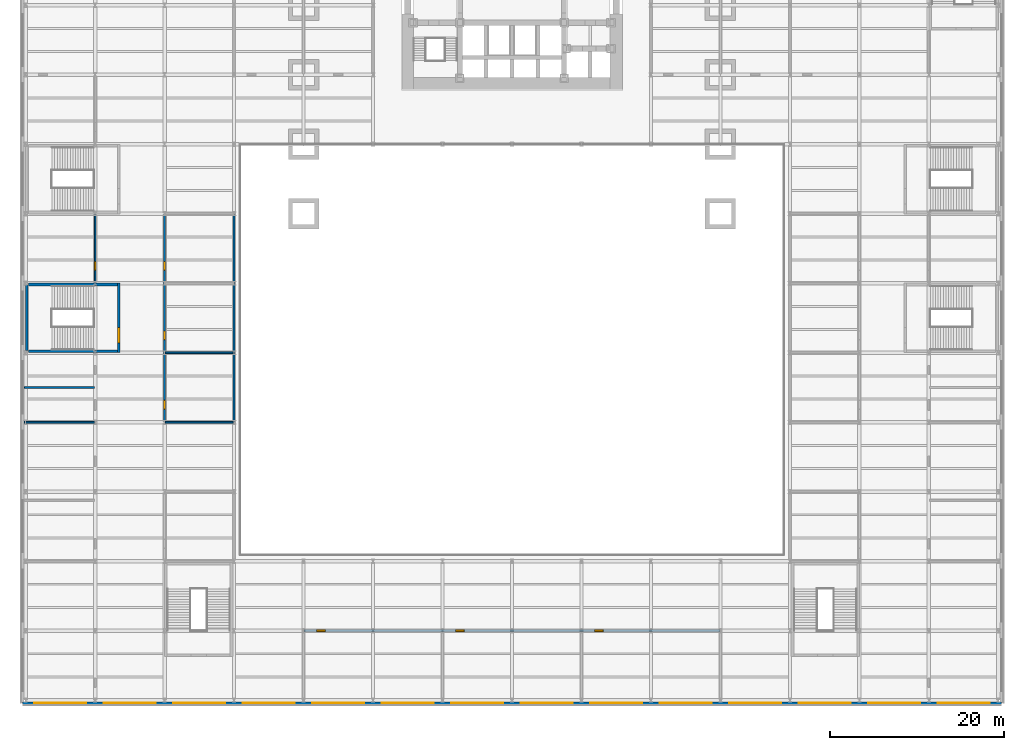
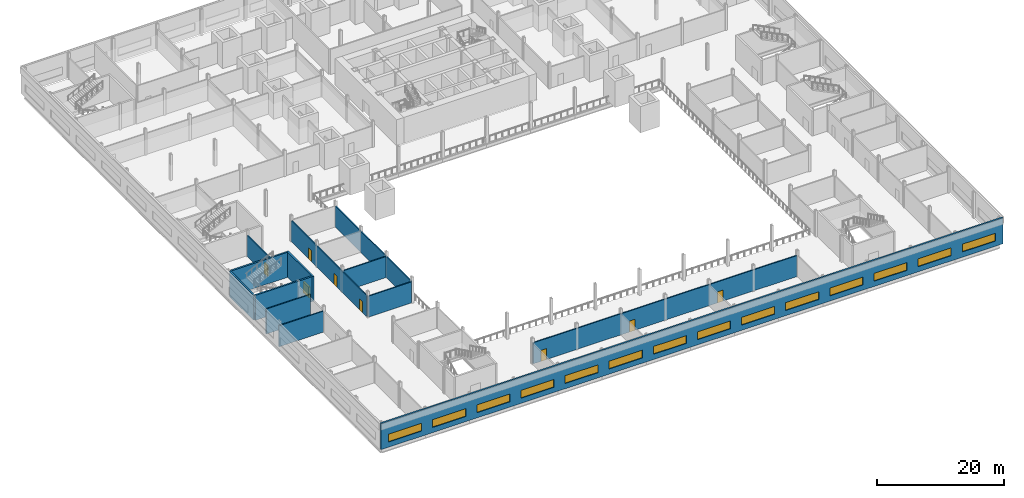
# One storey, part 8 of 18: 14 windows, 13 walls, 8 doors, 22 openings.
"""IFC4 building model written with IfcOpenShell, lengths in metres."""

from ifc_helpers import new_model, si_unit, direction, frame, frame_2d, origin, place, context, subcontext, project, spatial, rectangle, extrude, material, layer, layer_set, type_object, element, fill, save


model = new_model("IFC4")

# Units and contexts
model_context = context("Model", 3, precision=1e-05, world=origin(), true_north=direction((0.0, 1.0)))
body_context = subcontext(model_context, "Body", "Model", "MODEL_VIEW")
ifc_project = project(units=[si_unit("LENGTHUNIT", "METRE"), si_unit("AREAUNIT", "SQUARE_METRE"), si_unit("VOLUMEUNIT", "CUBIC_METRE"), si_unit("PLANEANGLEUNIT", "RADIAN"), si_unit("MASSUNIT", "GRAM", prefix="KILO")], contexts=[model_context])

# Site, building, storey
site_placement = place(None, origin())
site = spatial("IfcSite", under=ifc_project, at=site_placement, CompositionType="ELEMENT")
building_placement = place(site_placement, origin())
building = spatial("IfcBuilding", under=site, at=building_placement, Name="Daluyong Arena Tower", CompositionType="ELEMENT")
storey_placement = place(building_placement, frame((0.0, 0.0, 4.89990234375)))
storey = spatial("IfcBuildingStorey", under=building, at=storey_placement, Name="L01", CompositionType="ELEMENT", Elevation=4.89990234375)

# Wall, openings, doors
ifc_material_1 = material(Name="Concrete block partition", Category="concrete")
ifc_layer_1 = layer(ifc_material_1, 0.199951171875)
ifc_layer_set_1 = layer_set([ifc_layer_1], Name="Concrete block partition")
wall_type_1 = type_object("IfcWallType", Name="Partition 200", PredefinedType="PARTITIONING", material=ifc_layer_set_1)
wall_1_placement = place(storey_placement, frame((32.10009765625, 8.0, 0.0), z_axis=(0.0, 0.0, 1.0), x_axis=(1.0, 0.0, 0.0)))
wall_1 = element("IfcWall", 1, at=wall_1_placement, inside=storey, type_object=wall_type_1, Name="partition at L01", PredefinedType="PARTITIONING", context=body_context, shape_type="SweptSolid", body=[
    extrude(rectangle(XDim=47.7998046875, YDim=0.199951171875, at=frame_2d((23.89990234375, 0.0))), origin(), (0.0, 0.0, 1.0), 4.02783203125),
])
opening_1_placement = place(wall_1_placement, frame((1.39990234375, 0.0, 0.0)))
opening_1 = element("IfcOpeningElement", 2, at=opening_1_placement, cuts=wall_1, Name="Opening 01043", PredefinedType="OPENING", context=body_context, shape_type="SweptSolid", body=[
    extrude(rectangle(XDim=1.0, YDim=2.10009765625, at=frame_2d((0.5, 1.050048828125))), frame((0.0, 0.10986328125, 0.0), z_axis=(0.0, -1.0, 0.0), x_axis=(1.0, 0.0, 0.0)), (0.0, 0.0, 1.0), 0.219970703125),
])
opening_2_placement = place(wall_1_placement, frame((17.39990234375, 0.0, 0.0)))
opening_2 = element("IfcOpeningElement", 3, at=opening_2_placement, cuts=wall_1, Name="Opening 01044", PredefinedType="OPENING", context=body_context, shape_type="SweptSolid", body=[
    extrude(rectangle(XDim=1.0, YDim=2.10009765625, at=frame_2d((0.5, 1.050048828125))), frame((0.0, 0.10986328125, 0.0), z_axis=(0.0, -1.0, 0.0), x_axis=(1.0, 0.0, 0.0)), (0.0, 0.0, 1.0), 0.219970703125),
])
opening_3_placement = place(wall_1_placement, frame((33.39990234375, 0.0, 0.0)))
opening_3 = element("IfcOpeningElement", 4, at=opening_3_placement, cuts=wall_1, Name="Opening 01045", PredefinedType="OPENING", context=body_context, shape_type="SweptSolid", body=[
    extrude(rectangle(XDim=1.0, YDim=2.10009765625, at=frame_2d((0.5, 1.050048828125))), frame((0.0, 0.10986328125, 0.0), z_axis=(0.0, -1.0, 0.0), x_axis=(1.0, 0.0, 0.0)), (0.0, 0.0, 1.0), 0.219970703125),
])
ifc_material_2 = material(Name="Timber door", Category="wood")
door_type_1 = type_object("IfcDoorType", Name="Room door 1000", OperationType="SINGLE_SWING_LEFT", PredefinedType="DOOR", material=ifc_material_2)
door_1_placement = place(opening_1_placement, origin())
door_1 = element("IfcDoor", 5, at=door_1_placement, inside=storey, type_object=door_type_1, Name="merchandise shop door 01043", OperationType="SINGLE_SWING_LEFT", OverallHeight=2.10009765625, OverallWidth=1.0, PredefinedType="DOOR", context=body_context, shape_type="SweptSolid", body=[
    extrude(rectangle(XDim=1.0, YDim=2.10009765625, at=frame_2d((0.5, 1.050048828125))), frame((0.0, 0.099609375, 0.0), z_axis=(0.0, -1.0, 0.0), x_axis=(1.0, 0.0, 0.0)), (0.0, 0.0, 1.0), 0.199462890625),
])
fill(opening_1, door_1)
door_2_placement = place(opening_2_placement, origin())
door_2 = element("IfcDoor", 6, at=door_2_placement, inside=storey, type_object=door_type_1, Name="food and beverage kiosk door 01044", OperationType="SINGLE_SWING_LEFT", OverallHeight=2.10009765625, OverallWidth=1.0, PredefinedType="DOOR", context=body_context, shape_type="SweptSolid", body=[
    extrude(rectangle(XDim=1.0, YDim=2.10009765625, at=frame_2d((0.5, 1.050048828125))), frame((0.0, 0.099609375, 0.0), z_axis=(0.0, -1.0, 0.0), x_axis=(1.0, 0.0, 0.0)), (0.0, 0.0, 1.0), 0.199462890625),
])
fill(opening_2, door_2)
door_3_placement = place(opening_3_placement, origin())
door_3 = element("IfcDoor", 7, at=door_3_placement, inside=storey, type_object=door_type_1, Name="merchandise shop door 01045", OperationType="SINGLE_SWING_LEFT", OverallHeight=2.10009765625, OverallWidth=1.0, PredefinedType="DOOR", context=body_context, shape_type="SweptSolid", body=[
    extrude(rectangle(XDim=1.0, YDim=2.10009765625, at=frame_2d((0.5, 1.050048828125))), frame((0.0, 0.099609375, 0.0), z_axis=(0.0, -1.0, 0.0), x_axis=(1.0, 0.0, 0.0)), (0.0, 0.0, 1.0), 0.199462890625),
])
fill(opening_3, door_3)

# Walls
wall_2_placement = place(storey_placement, frame((-0.14990234375, 32.0, 0.0), z_axis=(0.0, 0.0, 1.0), x_axis=(1.0, 0.0, 0.0)))
element("IfcWall", 8, at=wall_2_placement, inside=storey, type_object=wall_type_1, Name="partition at L01", PredefinedType="PARTITIONING", context=body_context, shape_type="SweptSolid", body=[
    extrude(rectangle(XDim=8.0498046875, YDim=0.199951171875, at=frame_2d((4.02490234375, 0.0))), origin(), (0.0, 0.0, 1.0), 4.02783203125),
])
wall_3_placement = place(storey_placement, frame((16.10009765625, 32.0, 0.0), z_axis=(0.0, 0.0, 1.0), x_axis=(1.0, 0.0, 0.0)))
element("IfcWall", 9, at=wall_3_placement, inside=storey, type_object=wall_type_1, Name="partition at L01", PredefinedType="PARTITIONING", context=body_context, shape_type="SweptSolid", body=[
    extrude(rectangle(XDim=7.7998046875, YDim=0.199951171875, at=frame_2d((3.89990234375, 0.0))), origin(), (0.0, 0.0, 1.0), 4.02783203125),
])
wall_4_placement = place(storey_placement, frame((-0.14990234375, 36.0, 0.0), z_axis=(0.0, 0.0, 1.0), x_axis=(1.0, 0.0, 0.0)))
element("IfcWall", 10, at=wall_4_placement, inside=storey, type_object=wall_type_1, Name="partition at L01", PredefinedType="PARTITIONING", context=body_context, shape_type="SweptSolid", body=[
    extrude(rectangle(XDim=8.0498046875, YDim=0.199951171875, at=frame_2d((4.02490234375, 0.0))), origin(), (0.0, 0.0, 1.0), 4.800048828125),
])
wall_5_placement = place(storey_placement, frame((16.10009765625, 40.0, 0.0), z_axis=(0.0, 0.0, 1.0), x_axis=(1.0, 0.0, 0.0)))
element("IfcWall", 11, at=wall_5_placement, inside=storey, type_object=wall_type_1, Name="partition at L01", PredefinedType="PARTITIONING", context=body_context, shape_type="SweptSolid", body=[
    extrude(rectangle(XDim=7.7998046875, YDim=0.199951171875, at=frame_2d((3.89990234375, 0.0))), origin(), (0.0, 0.0, 1.0), 4.02783203125),
])

# Wall, opening, door
wall_6_placement = place(storey_placement, frame((8.0, 48.10009765625, 0.0), z_axis=(0.0, 0.0, 1.0), x_axis=(0.0, 1.0, 0.0)))
wall_6 = element("IfcWall", 12, at=wall_6_placement, inside=storey, type_object=wall_type_1, Name="partition at L01", PredefinedType="PARTITIONING", context=body_context, shape_type="SweptSolid", body=[
    extrude(rectangle(XDim=7.7998046875, YDim=0.199951171875, at=frame_2d((3.89990234375, 0.0))), origin(), (0.0, 0.0, 1.0), 4.02783203125),
])
opening_4_placement = place(wall_6_placement, frame((1.39990234375, 0.0, 0.0)))
opening_4 = element("IfcOpeningElement", 13, at=opening_4_placement, cuts=wall_6, Name="Opening 01039", PredefinedType="OPENING", context=body_context, shape_type="SweptSolid", body=[
    extrude(rectangle(XDim=1.0, YDim=2.10009765625, at=frame_2d((0.5, 1.050048828125))), frame((0.0, 0.10986328125, 0.0), z_axis=(0.0, -1.0, 0.0), x_axis=(1.0, 0.0, 0.0)), (0.0, 0.0, 1.0), 0.219970703125),
])
door_4_placement = place(opening_4_placement, origin())
door_4 = element("IfcDoor", 14, at=door_4_placement, inside=storey, type_object=door_type_1, Name="food and beverage kiosk door 01039", OperationType="SINGLE_SWING_LEFT", OverallHeight=2.10009765625, OverallWidth=1.0, PredefinedType="DOOR", context=body_context, shape_type="SweptSolid", body=[
    extrude(rectangle(XDim=1.0, YDim=2.10009765625, at=frame_2d((0.5, 1.050048828125))), frame((0.0, 0.099609375, 0.0), z_axis=(0.0, -1.0, 0.0), x_axis=(1.0, 0.0, 0.0)), (0.0, 0.0, 1.0), 0.199462890625),
])
fill(opening_4, door_4)

# Wall, openings, doors
wall_7_placement = place(storey_placement, frame((16.0, 32.10009765625, 0.0), z_axis=(0.0, 0.0, 1.0), x_axis=(0.0, 1.0, 0.0)))
wall_7 = element("IfcWall", 15, at=wall_7_placement, inside=storey, type_object=wall_type_1, Name="partition at L01", PredefinedType="PARTITIONING", context=body_context, shape_type="SweptSolid", body=[
    extrude(rectangle(XDim=23.7998046875, YDim=0.199951171875, at=frame_2d((11.89990234375, 0.0))), origin(), (0.0, 0.0, 1.0), 4.02783203125),
])
opening_5_placement = place(wall_7_placement, frame((1.39990234375, 0.0, 0.0)))
opening_5 = element("IfcOpeningElement", 16, at=opening_5_placement, cuts=wall_7, Name="Opening 01032", PredefinedType="OPENING", context=body_context, shape_type="SweptSolid", body=[
    extrude(rectangle(XDim=1.0, YDim=2.10009765625, at=frame_2d((0.5, 1.050048828125))), frame((0.0, 0.10986328125, 0.0), z_axis=(0.0, -1.0, 0.0), x_axis=(1.0, 0.0, 0.0)), (0.0, 0.0, 1.0), 0.219970703125),
])
opening_6_placement = place(wall_7_placement, frame((9.39990234375, 0.0, 0.0)))
opening_6 = element("IfcOpeningElement", 17, at=opening_6_placement, cuts=wall_7, Name="Opening 01033", PredefinedType="OPENING", context=body_context, shape_type="SweptSolid", body=[
    extrude(rectangle(XDim=1.0, YDim=2.10009765625, at=frame_2d((0.5, 1.050048828125))), frame((0.0, 0.10986328125, 0.0), z_axis=(0.0, -1.0, 0.0), x_axis=(1.0, 0.0, 0.0)), (0.0, 0.0, 1.0), 0.219970703125),
])
opening_7_placement = place(wall_7_placement, frame((17.39990234375, 0.0, 0.0)))
opening_7 = element("IfcOpeningElement", 18, at=opening_7_placement, cuts=wall_7, Name="Opening 01034", PredefinedType="OPENING", context=body_context, shape_type="SweptSolid", body=[
    extrude(rectangle(XDim=1.0, YDim=2.10009765625, at=frame_2d((0.5, 1.050048828125))), frame((0.0, 0.10986328125, 0.0), z_axis=(0.0, -1.0, 0.0), x_axis=(1.0, 0.0, 0.0)), (0.0, 0.0, 1.0), 0.219970703125),
])
door_5_placement = place(opening_5_placement, origin())
door_5 = element("IfcDoor", 19, at=door_5_placement, inside=storey, type_object=door_type_1, Name="merchandise shop door 01032", OperationType="SINGLE_SWING_LEFT", OverallHeight=2.10009765625, OverallWidth=1.0, PredefinedType="DOOR", context=body_context, shape_type="SweptSolid", body=[
    extrude(rectangle(XDim=1.0, YDim=2.10009765625, at=frame_2d((0.5, 1.050048828125))), frame((0.0, 0.099609375, 0.0), z_axis=(0.0, -1.0, 0.0), x_axis=(1.0, 0.0, 0.0)), (0.0, 0.0, 1.0), 0.199462890625),
])
fill(opening_5, door_5)
door_6_placement = place(opening_6_placement, origin())
door_6 = element("IfcDoor", 20, at=door_6_placement, inside=storey, type_object=door_type_1, Name="food and beverage kiosk door 01033", OperationType="SINGLE_SWING_LEFT", OverallHeight=2.10009765625, OverallWidth=1.0, PredefinedType="DOOR", context=body_context, shape_type="SweptSolid", body=[
    extrude(rectangle(XDim=1.0, YDim=2.10009765625, at=frame_2d((0.5, 1.050048828125))), frame((0.0, 0.099609375, 0.0), z_axis=(0.0, -1.0, 0.0), x_axis=(1.0, 0.0, 0.0)), (0.0, 0.0, 1.0), 0.199462890625),
])
fill(opening_6, door_6)
door_7_placement = place(opening_7_placement, origin())
door_7 = element("IfcDoor", 21, at=door_7_placement, inside=storey, type_object=door_type_1, Name="food and beverage kiosk door 01034", OperationType="SINGLE_SWING_LEFT", OverallHeight=2.10009765625, OverallWidth=1.0, PredefinedType="DOOR", context=body_context, shape_type="SweptSolid", body=[
    extrude(rectangle(XDim=1.0, YDim=2.10009765625, at=frame_2d((0.5, 1.050048828125))), frame((0.0, 0.099609375, 0.0), z_axis=(0.0, -1.0, 0.0), x_axis=(1.0, 0.0, 0.0)), (0.0, 0.0, 1.0), 0.199462890625),
])
fill(opening_7, door_7)

# Wall
wall_8_placement = place(storey_placement, frame((24.0, 32.10009765625, 0.0), z_axis=(0.0, 0.0, 1.0), x_axis=(0.0, 1.0, 0.0)))
element("IfcWall", 22, at=wall_8_placement, inside=storey, type_object=wall_type_1, Name="partition at L01", PredefinedType="PARTITIONING", context=body_context, shape_type="SweptSolid", body=[
    extrude(rectangle(XDim=23.7998046875, YDim=0.199951171875, at=frame_2d((11.89990234375, 0.0))), origin(), (0.0, 0.0, 1.0), 4.02783203125),
])

# Wall, openings, windows
ifc_material_3 = material(Name="Precast concrete fc' 45 MPa", Category="concrete")
ifc_layer_2 = layer(ifc_material_3, 0.300048828125)
ifc_layer_set_2 = layer_set([ifc_layer_2], Name="Precast concrete fc' 45 MPa")
wall_type_2 = type_object("IfcWallType", Name="Podium precast band wall 300", PredefinedType="SOLIDWALL", material=ifc_layer_set_2)
wall_9_placement = place(storey_placement, frame((-0.35009765625, -0.35009765625, 0.0), z_axis=(0.0, 0.0, 1.0), x_axis=(1.0, 0.0, 0.0)))
wall_9 = element("IfcWall", 23, at=wall_9_placement, inside=storey, type_object=wall_type_2, Name="podium wall S L01", PredefinedType="SOLIDWALL", context=body_context, shape_type="SweptSolid", body=[
    extrude(rectangle(XDim=112.7001953125, YDim=0.300048828125, at=frame_2d((56.35009765625, 0.0))), origin(), (0.0, 0.0, 1.0), 5.0),
])
opening_8_placement = place(wall_9_placement, frame((1.35009765625, 0.0, 1.0)))
opening_8 = element("IfcOpeningElement", 24, at=opening_8_placement, cuts=wall_9, Name="Opening W1", PredefinedType="OPENING", context=body_context, shape_type="SweptSolid", body=[
    extrude(rectangle(XDim=6.0, YDim=1.5, at=frame_2d((3.0, 0.75))), frame((0.0, 0.159912109375, 0.0), z_axis=(0.0, -1.0, 0.0), x_axis=(1.0, 0.0, 0.0)), (0.0, 0.0, 1.0), 0.320068359375),
])
opening_9_placement = place(wall_9_placement, frame((9.35009765625, 0.0, 1.0)))
opening_9 = element("IfcOpeningElement", 25, at=opening_9_placement, cuts=wall_9, Name="Opening W1", PredefinedType="OPENING", context=body_context, shape_type="SweptSolid", body=[
    extrude(rectangle(XDim=6.0, YDim=1.5, at=frame_2d((3.0, 0.75))), frame((0.0, 0.159912109375, 0.0), z_axis=(0.0, -1.0, 0.0), x_axis=(1.0, 0.0, 0.0)), (0.0, 0.0, 1.0), 0.320068359375),
])
opening_10_placement = place(wall_9_placement, frame((17.35009765625, 0.0, 1.0)))
opening_10 = element("IfcOpeningElement", 26, at=opening_10_placement, cuts=wall_9, Name="Opening W1", PredefinedType="OPENING", context=body_context, shape_type="SweptSolid", body=[
    extrude(rectangle(XDim=6.0, YDim=1.5, at=frame_2d((3.0, 0.75))), frame((0.0, 0.159912109375, 0.0), z_axis=(0.0, -1.0, 0.0), x_axis=(1.0, 0.0, 0.0)), (0.0, 0.0, 1.0), 0.320068359375),
])
opening_11_placement = place(wall_9_placement, frame((25.35009765625, 0.0, 1.0)))
opening_11 = element("IfcOpeningElement", 27, at=opening_11_placement, cuts=wall_9, Name="Opening W1", PredefinedType="OPENING", context=body_context, shape_type="SweptSolid", body=[
    extrude(rectangle(XDim=6.0, YDim=1.5, at=frame_2d((3.0, 0.75))), frame((0.0, 0.159912109375, 0.0), z_axis=(0.0, -1.0, 0.0), x_axis=(1.0, 0.0, 0.0)), (0.0, 0.0, 1.0), 0.320068359375),
])
opening_12_placement = place(wall_9_placement, frame((33.35009765625, 0.0, 1.0)))
opening_12 = element("IfcOpeningElement", 28, at=opening_12_placement, cuts=wall_9, Name="Opening W1", PredefinedType="OPENING", context=body_context, shape_type="SweptSolid", body=[
    extrude(rectangle(XDim=6.0, YDim=1.5, at=frame_2d((3.0, 0.75))), frame((0.0, 0.159912109375, 0.0), z_axis=(0.0, -1.0, 0.0), x_axis=(1.0, 0.0, 0.0)), (0.0, 0.0, 1.0), 0.320068359375),
])
opening_13_placement = place(wall_9_placement, frame((41.35009765625, 0.0, 1.0)))
opening_13 = element("IfcOpeningElement", 29, at=opening_13_placement, cuts=wall_9, Name="Opening W1", PredefinedType="OPENING", context=body_context, shape_type="SweptSolid", body=[
    extrude(rectangle(XDim=6.0, YDim=1.5, at=frame_2d((3.0, 0.75))), frame((0.0, 0.159912109375, 0.0), z_axis=(0.0, -1.0, 0.0), x_axis=(1.0, 0.0, 0.0)), (0.0, 0.0, 1.0), 0.320068359375),
])
opening_14_placement = place(wall_9_placement, frame((49.35009765625, 0.0, 1.0)))
opening_14 = element("IfcOpeningElement", 30, at=opening_14_placement, cuts=wall_9, Name="Opening W1", PredefinedType="OPENING", context=body_context, shape_type="SweptSolid", body=[
    extrude(rectangle(XDim=6.0, YDim=1.5, at=frame_2d((3.0, 0.75))), frame((0.0, 0.159912109375, 0.0), z_axis=(0.0, -1.0, 0.0), x_axis=(1.0, 0.0, 0.0)), (0.0, 0.0, 1.0), 0.320068359375),
])
opening_15_placement = place(wall_9_placement, frame((57.35009765625, 0.0, 1.0)))
opening_15 = element("IfcOpeningElement", 31, at=opening_15_placement, cuts=wall_9, Name="Opening W1", PredefinedType="OPENING", context=body_context, shape_type="SweptSolid", body=[
    extrude(rectangle(XDim=6.0, YDim=1.5, at=frame_2d((3.0, 0.75))), frame((0.0, 0.159912109375, 0.0), z_axis=(0.0, -1.0, 0.0), x_axis=(1.0, 0.0, 0.0)), (0.0, 0.0, 1.0), 0.320068359375),
])
opening_16_placement = place(wall_9_placement, frame((65.35009765625, 0.0, 1.0)))
opening_16 = element("IfcOpeningElement", 32, at=opening_16_placement, cuts=wall_9, Name="Opening W1", PredefinedType="OPENING", context=body_context, shape_type="SweptSolid", body=[
    extrude(rectangle(XDim=6.0, YDim=1.5, at=frame_2d((3.0, 0.75))), frame((0.0, 0.159912109375, 0.0), z_axis=(0.0, -1.0, 0.0), x_axis=(1.0, 0.0, 0.0)), (0.0, 0.0, 1.0), 0.320068359375),
])
opening_17_placement = place(wall_9_placement, frame((73.35009765625, 0.0, 1.0)))
opening_17 = element("IfcOpeningElement", 33, at=opening_17_placement, cuts=wall_9, Name="Opening W1", PredefinedType="OPENING", context=body_context, shape_type="SweptSolid", body=[
    extrude(rectangle(XDim=6.0, YDim=1.5, at=frame_2d((3.0, 0.75))), frame((0.0, 0.159912109375, 0.0), z_axis=(0.0, -1.0, 0.0), x_axis=(1.0, 0.0, 0.0)), (0.0, 0.0, 1.0), 0.320068359375),
])
opening_18_placement = place(wall_9_placement, frame((81.35009765625, 0.0, 1.0)))
opening_18 = element("IfcOpeningElement", 34, at=opening_18_placement, cuts=wall_9, Name="Opening W1", PredefinedType="OPENING", context=body_context, shape_type="SweptSolid", body=[
    extrude(rectangle(XDim=6.0, YDim=1.5, at=frame_2d((3.0, 0.75))), frame((0.0, 0.159912109375, 0.0), z_axis=(0.0, -1.0, 0.0), x_axis=(1.0, 0.0, 0.0)), (0.0, 0.0, 1.0), 0.320068359375),
])
opening_19_placement = place(wall_9_placement, frame((89.35009765625, 0.0, 1.0)))
opening_19 = element("IfcOpeningElement", 35, at=opening_19_placement, cuts=wall_9, Name="Opening W1", PredefinedType="OPENING", context=body_context, shape_type="SweptSolid", body=[
    extrude(rectangle(XDim=6.0, YDim=1.5, at=frame_2d((3.0, 0.75))), frame((0.0, 0.159912109375, 0.0), z_axis=(0.0, -1.0, 0.0), x_axis=(1.0, 0.0, 0.0)), (0.0, 0.0, 1.0), 0.320068359375),
])
opening_20_placement = place(wall_9_placement, frame((97.35009765625, 0.0, 1.0)))
opening_20 = element("IfcOpeningElement", 36, at=opening_20_placement, cuts=wall_9, Name="Opening W1", PredefinedType="OPENING", context=body_context, shape_type="SweptSolid", body=[
    extrude(rectangle(XDim=6.0, YDim=1.5, at=frame_2d((3.0, 0.75))), frame((0.0, 0.159912109375, 0.0), z_axis=(0.0, -1.0, 0.0), x_axis=(1.0, 0.0, 0.0)), (0.0, 0.0, 1.0), 0.320068359375),
])
opening_21_placement = place(wall_9_placement, frame((105.35009765625, 0.0, 1.0)))
opening_21 = element("IfcOpeningElement", 37, at=opening_21_placement, cuts=wall_9, Name="Opening W1", PredefinedType="OPENING", context=body_context, shape_type="SweptSolid", body=[
    extrude(rectangle(XDim=6.0, YDim=1.5, at=frame_2d((3.0, 0.75))), frame((0.0, 0.159912109375, 0.0), z_axis=(0.0, -1.0, 0.0), x_axis=(1.0, 0.0, 0.0)), (0.0, 0.0, 1.0), 0.320068359375),
])
ifc_material_4 = material(Name="Bronze aluminium window, tinted glass", Category="aluminium")
window_type = type_object("IfcWindowType", Name="Ribbon window 6000x1500", PartitioningType="TRIPLE_PANEL_HORIZONTAL", PredefinedType="WINDOW", material=ifc_material_4)
window_1_placement = place(opening_8_placement, origin())
window_1 = element("IfcWindow", 38, at=window_1_placement, inside=storey, type_object=window_type, Name="ribbon window S", OverallHeight=1.5, OverallWidth=6.0, PartitioningType="SINGLE_PANEL", PredefinedType="WINDOW", context=body_context, shape_type="SweptSolid", body=[
    extrude(rectangle(XDim=6.0, YDim=1.5, at=frame_2d((3.0, 0.75))), frame((0.0, 0.030029296875, 0.0), z_axis=(0.0, -1.0, 0.0), x_axis=(1.0, 0.0, 0.0)), (0.0, 0.0, 1.0), 0.06005859375),
])
fill(opening_8, window_1)
window_2_placement = place(opening_9_placement, origin())
window_2 = element("IfcWindow", 39, at=window_2_placement, inside=storey, type_object=window_type, Name="ribbon window S", OverallHeight=1.5, OverallWidth=6.0, PartitioningType="SINGLE_PANEL", PredefinedType="WINDOW", context=body_context, shape_type="SweptSolid", body=[
    extrude(rectangle(XDim=6.0, YDim=1.5, at=frame_2d((3.0, 0.75))), frame((0.0, 0.030029296875, 0.0), z_axis=(0.0, -1.0, 0.0), x_axis=(1.0, 0.0, 0.0)), (0.0, 0.0, 1.0), 0.06005859375),
])
fill(opening_9, window_2)
window_3_placement = place(opening_10_placement, origin())
window_3 = element("IfcWindow", 40, at=window_3_placement, inside=storey, type_object=window_type, Name="ribbon window S", OverallHeight=1.5, OverallWidth=6.0, PartitioningType="SINGLE_PANEL", PredefinedType="WINDOW", context=body_context, shape_type="SweptSolid", body=[
    extrude(rectangle(XDim=6.0, YDim=1.5, at=frame_2d((3.0, 0.75))), frame((0.0, 0.030029296875, 0.0), z_axis=(0.0, -1.0, 0.0), x_axis=(1.0, 0.0, 0.0)), (0.0, 0.0, 1.0), 0.06005859375),
])
fill(opening_10, window_3)
window_4_placement = place(opening_11_placement, origin())
window_4 = element("IfcWindow", 41, at=window_4_placement, inside=storey, type_object=window_type, Name="ribbon window S", OverallHeight=1.5, OverallWidth=6.0, PartitioningType="SINGLE_PANEL", PredefinedType="WINDOW", context=body_context, shape_type="SweptSolid", body=[
    extrude(rectangle(XDim=6.0, YDim=1.5, at=frame_2d((3.0, 0.75))), frame((0.0, 0.030029296875, 0.0), z_axis=(0.0, -1.0, 0.0), x_axis=(1.0, 0.0, 0.0)), (0.0, 0.0, 1.0), 0.06005859375),
])
fill(opening_11, window_4)
window_5_placement = place(opening_12_placement, origin())
window_5 = element("IfcWindow", 42, at=window_5_placement, inside=storey, type_object=window_type, Name="ribbon window S", OverallHeight=1.5, OverallWidth=6.0, PartitioningType="SINGLE_PANEL", PredefinedType="WINDOW", context=body_context, shape_type="SweptSolid", body=[
    extrude(rectangle(XDim=6.0, YDim=1.5, at=frame_2d((3.0, 0.75))), frame((0.0, 0.030029296875, 0.0), z_axis=(0.0, -1.0, 0.0), x_axis=(1.0, 0.0, 0.0)), (0.0, 0.0, 1.0), 0.06005859375),
])
fill(opening_12, window_5)
window_6_placement = place(opening_13_placement, origin())
window_6 = element("IfcWindow", 43, at=window_6_placement, inside=storey, type_object=window_type, Name="ribbon window S", OverallHeight=1.5, OverallWidth=6.0, PartitioningType="SINGLE_PANEL", PredefinedType="WINDOW", context=body_context, shape_type="SweptSolid", body=[
    extrude(rectangle(XDim=6.0, YDim=1.5, at=frame_2d((3.0, 0.75))), frame((0.0, 0.030029296875, 0.0), z_axis=(0.0, -1.0, 0.0), x_axis=(1.0, 0.0, 0.0)), (0.0, 0.0, 1.0), 0.06005859375),
])
fill(opening_13, window_6)
window_7_placement = place(opening_14_placement, origin())
window_7 = element("IfcWindow", 44, at=window_7_placement, inside=storey, type_object=window_type, Name="ribbon window S", OverallHeight=1.5, OverallWidth=6.0, PartitioningType="SINGLE_PANEL", PredefinedType="WINDOW", context=body_context, shape_type="SweptSolid", body=[
    extrude(rectangle(XDim=6.0, YDim=1.5, at=frame_2d((3.0, 0.75))), frame((0.0, 0.030029296875, 0.0), z_axis=(0.0, -1.0, 0.0), x_axis=(1.0, 0.0, 0.0)), (0.0, 0.0, 1.0), 0.06005859375),
])
fill(opening_14, window_7)
window_8_placement = place(opening_15_placement, origin())
window_8 = element("IfcWindow", 45, at=window_8_placement, inside=storey, type_object=window_type, Name="ribbon window S", OverallHeight=1.5, OverallWidth=6.0, PartitioningType="SINGLE_PANEL", PredefinedType="WINDOW", context=body_context, shape_type="SweptSolid", body=[
    extrude(rectangle(XDim=6.0, YDim=1.5, at=frame_2d((3.0, 0.75))), frame((0.0, 0.030029296875, 0.0), z_axis=(0.0, -1.0, 0.0), x_axis=(1.0, 0.0, 0.0)), (0.0, 0.0, 1.0), 0.06005859375),
])
fill(opening_15, window_8)
window_9_placement = place(opening_16_placement, origin())
window_9 = element("IfcWindow", 46, at=window_9_placement, inside=storey, type_object=window_type, Name="ribbon window S", OverallHeight=1.5, OverallWidth=6.0, PartitioningType="SINGLE_PANEL", PredefinedType="WINDOW", context=body_context, shape_type="SweptSolid", body=[
    extrude(rectangle(XDim=6.0, YDim=1.5, at=frame_2d((3.0, 0.75))), frame((0.0, 0.030029296875, 0.0), z_axis=(0.0, -1.0, 0.0), x_axis=(1.0, 0.0, 0.0)), (0.0, 0.0, 1.0), 0.06005859375),
])
fill(opening_16, window_9)
window_10_placement = place(opening_17_placement, origin())
window_10 = element("IfcWindow", 47, at=window_10_placement, inside=storey, type_object=window_type, Name="ribbon window S", OverallHeight=1.5, OverallWidth=6.0, PartitioningType="SINGLE_PANEL", PredefinedType="WINDOW", context=body_context, shape_type="SweptSolid", body=[
    extrude(rectangle(XDim=6.0, YDim=1.5, at=frame_2d((3.0, 0.75))), frame((0.0, 0.030029296875, 0.0), z_axis=(0.0, -1.0, 0.0), x_axis=(1.0, 0.0, 0.0)), (0.0, 0.0, 1.0), 0.06005859375),
])
fill(opening_17, window_10)
window_11_placement = place(opening_18_placement, origin())
window_11 = element("IfcWindow", 48, at=window_11_placement, inside=storey, type_object=window_type, Name="ribbon window S", OverallHeight=1.5, OverallWidth=6.0, PartitioningType="SINGLE_PANEL", PredefinedType="WINDOW", context=body_context, shape_type="SweptSolid", body=[
    extrude(rectangle(XDim=6.0, YDim=1.5, at=frame_2d((3.0, 0.75))), frame((0.0, 0.030029296875, 0.0), z_axis=(0.0, -1.0, 0.0), x_axis=(1.0, 0.0, 0.0)), (0.0, 0.0, 1.0), 0.06005859375),
])
fill(opening_18, window_11)
window_12_placement = place(opening_19_placement, origin())
window_12 = element("IfcWindow", 49, at=window_12_placement, inside=storey, type_object=window_type, Name="ribbon window S", OverallHeight=1.5, OverallWidth=6.0, PartitioningType="SINGLE_PANEL", PredefinedType="WINDOW", context=body_context, shape_type="SweptSolid", body=[
    extrude(rectangle(XDim=6.0, YDim=1.5, at=frame_2d((3.0, 0.75))), frame((0.0, 0.030029296875, 0.0), z_axis=(0.0, -1.0, 0.0), x_axis=(1.0, 0.0, 0.0)), (0.0, 0.0, 1.0), 0.06005859375),
])
fill(opening_19, window_12)
window_13_placement = place(opening_20_placement, origin())
window_13 = element("IfcWindow", 50, at=window_13_placement, inside=storey, type_object=window_type, Name="ribbon window S", OverallHeight=1.5, OverallWidth=6.0, PartitioningType="SINGLE_PANEL", PredefinedType="WINDOW", context=body_context, shape_type="SweptSolid", body=[
    extrude(rectangle(XDim=6.0, YDim=1.5, at=frame_2d((3.0, 0.75))), frame((0.0, 0.030029296875, 0.0), z_axis=(0.0, -1.0, 0.0), x_axis=(1.0, 0.0, 0.0)), (0.0, 0.0, 1.0), 0.06005859375),
])
fill(opening_20, window_13)
window_14_placement = place(opening_21_placement, origin())
window_14 = element("IfcWindow", 51, at=window_14_placement, inside=storey, type_object=window_type, Name="ribbon window S", OverallHeight=1.5, OverallWidth=6.0, PartitioningType="SINGLE_PANEL", PredefinedType="WINDOW", context=body_context, shape_type="SweptSolid", body=[
    extrude(rectangle(XDim=6.0, YDim=1.5, at=frame_2d((3.0, 0.75))), frame((0.0, 0.030029296875, 0.0), z_axis=(0.0, -1.0, 0.0), x_axis=(1.0, 0.0, 0.0)), (0.0, 0.0, 1.0), 0.06005859375),
])
fill(opening_21, window_14)

# Wall
ifc_material_5 = material(Name="Concrete fc' 35 MPa", Category="concrete")
ifc_layer_3 = layer(ifc_material_5, 0.300048828125)
ifc_layer_set_3 = layer_set([ifc_layer_3], Name="Concrete fc' 35 MPa")
wall_type_3 = type_object("IfcWallType", Name="Stair enclosure wall 300", PredefinedType="SOLIDWALL", material=ifc_layer_set_3)
wall_10_placement = place(storey_placement, frame((0.14990234375, 40.227294921875, 0.0), z_axis=(0.0, 0.0, 1.0), x_axis=(0.0, 1.0, 0.0)))
element("IfcWall", 52, at=wall_10_placement, inside=storey, type_object=wall_type_3, Name="exit stair PS3 enclosure", PredefinedType="SOLIDWALL", context=body_context, shape_type="SweptSolid", body=[
    extrude(rectangle(XDim=7.54541015625, YDim=0.300048828125, at=frame_2d((3.772705078125, 0.0))), origin(), (0.0, 0.0, 1.0), 4.800048828125),
])

# Wall, opening, door
wall_11_placement = place(storey_placement, frame((10.699951171875, 40.0, 0.0), z_axis=(0.0, 0.0, 1.0), x_axis=(0.0, 1.0, 0.0)))
wall_11 = element("IfcWall", 53, at=wall_11_placement, inside=storey, type_object=wall_type_3, Name="exit stair PS3 enclosure", PredefinedType="SOLIDWALL", context=body_context, shape_type="SweptSolid", body=[
    extrude(rectangle(XDim=8.0, YDim=0.300048828125, at=frame_2d((4.0, 0.0))), origin(), (0.0, 0.0, 1.0), 4.800048828125),
])
opening_22_placement = place(wall_11_placement, frame((1.10009765625, 0.0, 0.0)))
opening_22 = element("IfcOpeningElement", 54, at=opening_22_placement, cuts=wall_11, Name="Opening 01017", PredefinedType="OPENING", context=body_context, shape_type="SweptSolid", body=[
    extrude(rectangle(XDim=1.800048828125, YDim=2.10009765625, at=frame_2d((0.89990234375, 1.050048828125))), frame((0.0, 0.159912109375, 0.0), z_axis=(0.0, -1.0, 0.0), x_axis=(1.0, 0.0, 0.0)), (0.0, 0.0, 1.0), 0.320068359375),
])
ifc_material_6 = material(Name="Steel door, fire rated", Category="steel")
door_type_2 = type_object("IfcDoorType", Name="Exit stair double door 1800", OperationType="DOUBLE_DOOR_SINGLE_SWING", PredefinedType="DOOR", material=ifc_material_6)
door_8_placement = place(opening_22_placement, origin())
door_8 = element("IfcDoor", 55, at=door_8_placement, inside=storey, type_object=door_type_2, Name="exit stair PS3 door 01017", OperationType="DOUBLE_DOOR_SINGLE_SWING", OverallHeight=2.10009765625, OverallWidth=1.800048828125, PredefinedType="DOOR", context=body_context, shape_type="SweptSolid", body=[
    extrude(rectangle(XDim=1.800048828125, YDim=2.10009765625, at=frame_2d((0.89990234375, 1.050048828125))), frame((0.0, 0.14990234375, 0.0), z_axis=(0.0, -1.0, 0.0), x_axis=(1.0, 0.0, 0.0)), (0.0, 0.0, 1.0), 0.299560546875),
])
fill(opening_22, door_8)

# Walls
for number, where, z_axis, x_axis, name in (
    (56, (0.300048828125, 40.14990234375, 0.0), (0.0, 0.0, 1.0), (1.0, 0.0, 0.0), "exit stair PS3 enclosure"),
    (57, (0.300048828125, 47.85009765625, 0.0), (0.0, 0.0, 1.0), (1.0, 0.0, 0.0), "exit stair PS3 enclosure"),
):
    element("IfcWall", number, at=place(storey_placement, frame(where, z_axis=z_axis, x_axis=x_axis)), inside=storey, type_object=wall_type_3, Name=name, PredefinedType="SOLIDWALL", context=body_context, shape_type="SweptSolid", body=[
        extrude(rectangle(XDim=10.25, YDim=0.300048828125, at=frame_2d((5.125, 0.0))), origin(), (0.0, 0.0, 1.0), 4.800048828125),
    ])

save(model, "model.ifc")
